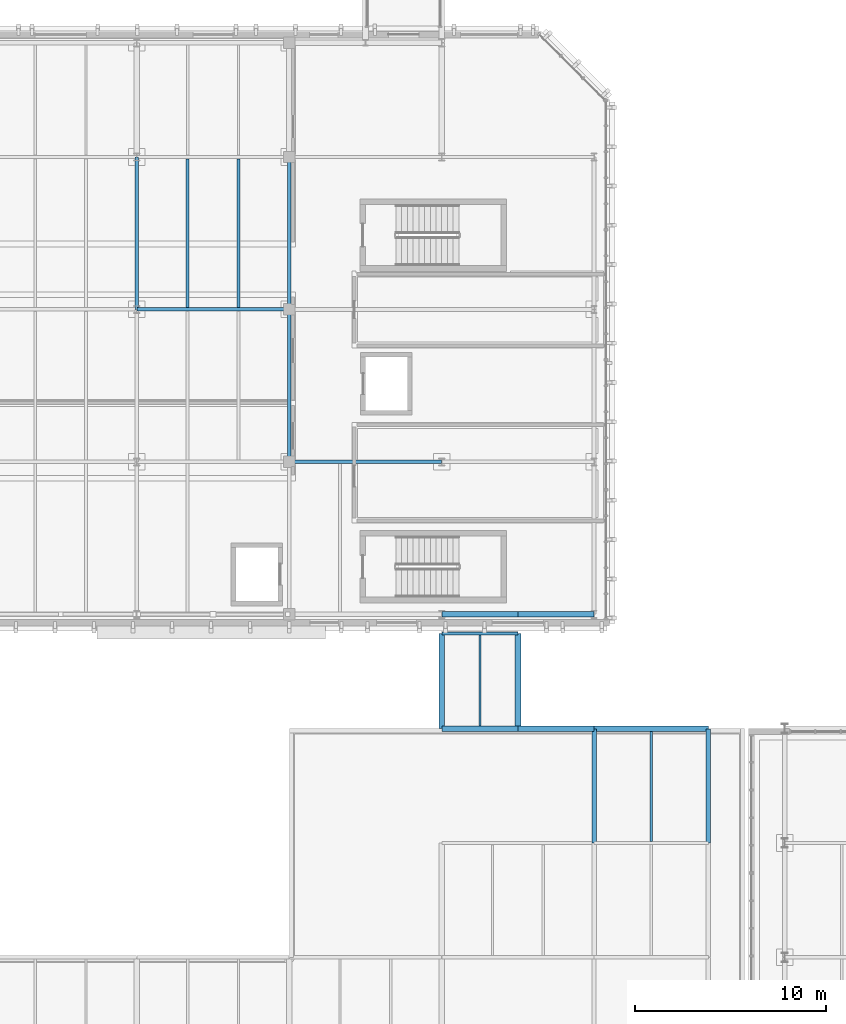
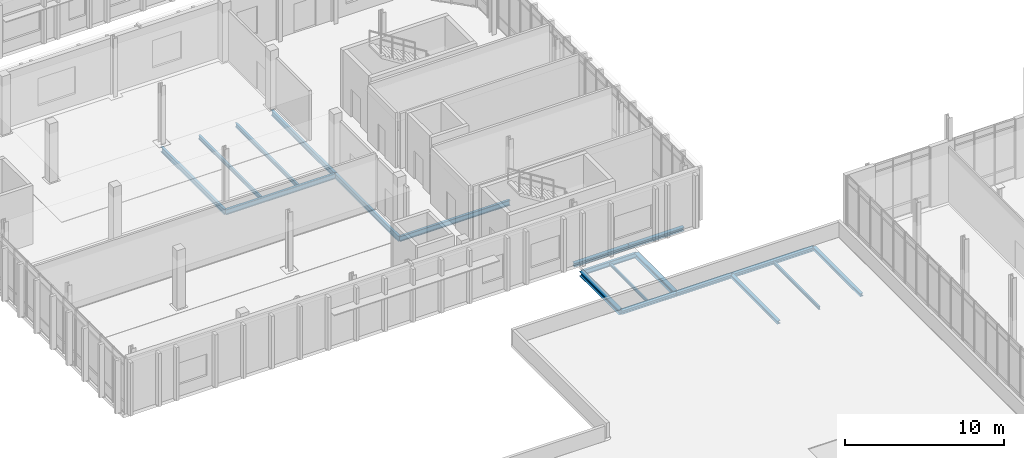
# One storey, part 18 of 86: 19 beams.
"""IFC4 building model written with IfcOpenShell, lengths in metres."""

from ifc_helpers import new_model, si_unit, direction, frame, origin, origin_2d, place, context, subcontext, project, spatial, i_section, extrude, material, material_profile, profile_set, type_object, element, save


model = new_model("IFC4")

# Units and contexts
model_context = context("Model", 3, precision=1e-05, world=origin(), true_north=direction((0.0, 1.0)))
body_context = subcontext(model_context, "Body", "Model", "MODEL_VIEW")
ifc_project = project(units=[si_unit("LENGTHUNIT", "METRE"), si_unit("AREAUNIT", "SQUARE_METRE"), si_unit("VOLUMEUNIT", "CUBIC_METRE"), si_unit("PLANEANGLEUNIT", "RADIAN"), si_unit("MASSUNIT", "GRAM", prefix="KILO")], contexts=[model_context])

# Site, building, storey
site_placement = place(None, origin())
site = spatial("IfcSite", under=ifc_project, at=site_placement, CompositionType="ELEMENT")
building_placement = place(site_placement, origin())
building = spatial("IfcBuilding", under=site, at=building_placement, Name="Cymarion Research Institute", CompositionType="ELEMENT")
storey_placement = place(building_placement, frame((0.0, 0.0, 13.800048828125)))
storey = spatial("IfcBuildingStorey", under=building, at=storey_placement, Name="L03", CompositionType="ELEMENT", Elevation=13.800048828125)

# Beams
ifc_material = material(Name="Steel S355", Category="steel")
ifc_material_profile_1 = material_profile(ifc_material, i_section(OverallWidth=0.179931640625, OverallDepth=0.39990234375, WebThickness=0.008544921875, FlangeThickness=0.013427734375, FilletRadius=0.02099609375, at=origin_2d()), Name="IPE 400")
ifc_profile_set_1 = profile_set([ifc_material_profile_1], Name="Steel S355")
beam_type_1 = type_object("IfcBeamType", Name="PRIMARY GIRDER BM05 IPE 400", PredefinedType="BEAM", material=ifc_profile_set_1)
for number, where, z_axis, x_axis, name in (
    (1, (30.60595703125, 55.5, -0.449951171875), (1.0, 0.0, 0.0), (0.0, 1.0, 0.0), "L03 V4 girder BM05 #1461"),
    (2, (22.60595703125, 63.5, -0.449951171875), (1.0, 0.0, 0.0), (0.0, 1.0, 0.0), "L03 V4 girder BM05 #1465"),
):
    element("IfcBeam", number, at=place(storey_placement, frame(where, z_axis=z_axis, x_axis=x_axis)), inside=storey, type_object=beam_type_1, Name=name, PredefinedType="BEAM", context=body_context, shape_type="SweptSolid", body=[
        extrude(i_section(OverallWidth=0.179931640625, OverallDepth=0.39990234375, WebThickness=0.008544921875, FlangeThickness=0.013427734375, FilletRadius=0.02099609375, at=origin_2d()), origin(), (0.0, 0.0, 1.0), 7.988037109375),
    ])
for number, where, z_axis, x_axis, name in (
    (3, (22.60009765625, 63.506103515625, -0.449951171875), (0.0, 1.0, 0.0), (-1.0, 0.0, 0.0), "L03 V4 girder BM05 #1488"),
    (4, (30.60009765625, 55.506103515625, -0.449951171875), (0.0, 1.0, 0.0), (-1.0, 0.0, 0.0), "L03 V4 girder BM05 #1491"),
    (5, (30.60009765625, 63.506103515625, -0.449951171875), (0.0, 1.0, 0.0), (-1.0, 0.0, 0.0), "L03 V4 girder BM05 #1492"),
):
    element("IfcBeam", number, at=place(storey_placement, frame(where, z_axis=z_axis, x_axis=x_axis)), inside=storey, type_object=beam_type_1, Name=name, PredefinedType="BEAM", context=body_context, shape_type="SweptSolid", body=[
        extrude(i_section(OverallWidth=0.179931640625, OverallDepth=0.39990234375, WebThickness=0.008544921875, FlangeThickness=0.013427734375, FilletRadius=0.02099609375, at=origin_2d()), origin(), (0.0, 0.0, 1.0), 7.98779296875),
    ])
ifc_material_profile_2 = material_profile(ifc_material, i_section(OverallWidth=0.169921875, OverallDepth=0.360107421875, WebThickness=0.008056640625, FlangeThickness=0.0126953125, FilletRadius=0.01806640625, at=origin_2d()), Name="IPE 360")
ifc_profile_set_2 = profile_set([ifc_material_profile_2], Name="Steel S355")
beam_type_2 = type_object("IfcBeamType", Name="PRIMARY GIRDER BM06 IPE 360", PredefinedType="BEAM", material=ifc_profile_set_2)
beam_1_placement = place(storey_placement, frame((38.60595703125, 46.5, -0.420166015625), z_axis=(1.0, 0.0, 0.0), x_axis=(0.0, 1.0, 0.0)))
element("IfcBeam", 6, at=beam_1_placement, inside=storey, type_object=beam_type_2, Name="L03 V3 girder BM06 #1380", PredefinedType="BEAM", context=body_context, shape_type="SweptSolid", body=[
    extrude(i_section(OverallWidth=0.169921875, OverallDepth=0.360107421875, WebThickness=0.008056640625, FlangeThickness=0.0126953125, FilletRadius=0.01806640625, at=origin_2d()), origin(), (0.0, 0.0, 1.0), 3.988037109375),
])
ifc_material_profile_3 = material_profile(ifc_material, i_section(OverallWidth=0.300048828125, OverallDepth=0.35009765625, WebThickness=0.010009765625, FlangeThickness=0.017578125, FilletRadius=0.027099609375, at=origin_2d()), Name="HEA 360")
ifc_profile_set_3 = profile_set([ifc_material_profile_3], Name="Steel S355")
beam_type_3 = type_object("IfcBeamType", Name="PRIMARY GIRDER BM12 HEA 360", PredefinedType="BEAM", material=ifc_profile_set_3)
for number, where, z_axis, x_axis, name in (
    (7, (38.60009765625, 41.506103515625, -0.4150390625), (0.0, 1.0, 0.0), (-1.0, 0.0, 0.0), "L03 V3 girder BM12 #1401"),
    (8, (42.60009765625, 41.506103515625, -0.4150390625), (0.0, 1.0, 0.0), (-1.0, 0.0, 0.0), "L03 V3 girder BM12 #1402"),
):
    element("IfcBeam", number, at=place(storey_placement, frame(where, z_axis=z_axis, x_axis=x_axis)), inside=storey, type_object=beam_type_3, Name=name, PredefinedType="BEAM", context=body_context, shape_type="SweptSolid", body=[
        extrude(i_section(OverallWidth=0.300048828125, OverallDepth=0.35009765625, WebThickness=0.010009765625, FlangeThickness=0.017578125, FilletRadius=0.027099609375, at=origin_2d()), origin(), (0.0, 0.0, 1.0), 4.98779296875),
    ])
ifc_material_profile_4 = material_profile(ifc_material, i_section(OverallWidth=0.14990234375, OverallDepth=0.300048828125, WebThickness=0.007080078125, FlangeThickness=0.0107421875, FilletRadius=0.014892578125, at=origin_2d()), Name="IPE 300")
ifc_profile_set_4 = profile_set([ifc_material_profile_4], Name="Steel S355")
beam_type_4 = type_object("IfcBeamType", Name="SECONDARY JOIST JS02 IPE 300", PredefinedType="JOIST", material=ifc_profile_set_4)
for number, where, z_axis, x_axis, name in (
    (9, (25.2666015625, 63.593994140625, -0.400146484375), (0.0, 1.0, 0.0), (-1.0, 0.0, 0.0), "L03 V4 secondary joist JS02 #1515"),
    (10, (27.933349609375, 63.593994140625, -0.400146484375), (0.0, 1.0, 0.0), (-1.0, 0.0, 0.0), "L03 V4 secondary joist JS02 #1516"),
):
    element("IfcBeam", number, at=place(storey_placement, frame(where, z_axis=z_axis, x_axis=x_axis)), inside=storey, type_object=beam_type_4, Name=name, PredefinedType="JOIST", context=body_context, shape_type="SweptSolid", body=[
        extrude(i_section(OverallWidth=0.14990234375, OverallDepth=0.300048828125, WebThickness=0.007080078125, FlangeThickness=0.0107421875, FilletRadius=0.014892578125, at=origin_2d()), origin(), (0.0, 0.0, 1.0), 7.81201171875),
    ])
ifc_material_profile_5 = material_profile(ifc_material, i_section(OverallWidth=0.1201171875, OverallDepth=0.239990234375, WebThickness=0.006103515625, FlangeThickness=0.009765625, FilletRadius=0.014892578125, at=origin_2d()), Name="IPE 240")
ifc_profile_set_5 = profile_set([ifc_material_profile_5], Name="Steel S355")
beam_type_5 = type_object("IfcBeamType", Name="SECONDARY JOIST JS04 IPE 240", PredefinedType="JOIST", material=ifc_profile_set_5)
beam_2_placement = place(storey_placement, frame((49.60009765625, 35.589111328125, -0.360107421875), z_axis=(0.0, 1.0, 0.0), x_axis=(-1.0, 0.0, 0.0)))
element("IfcBeam", 11, at=beam_2_placement, inside=storey, type_object=beam_type_5, Name="L03 V3 secondary joist JS04 #1450", PredefinedType="JOIST", context=body_context, shape_type="SweptSolid", body=[
    extrude(i_section(OverallWidth=0.1201171875, OverallDepth=0.239990234375, WebThickness=0.006103515625, FlangeThickness=0.009765625, FilletRadius=0.014892578125, at=origin_2d()), origin(), (0.0, 0.0, 1.0), 5.766845703125),
])
ifc_material_profile_6 = material_profile(ifc_material, i_section(OverallWidth=0.110107421875, OverallDepth=0.219970703125, WebThickness=0.005859375, FlangeThickness=0.00927734375, FilletRadius=0.011962890625, at=origin_2d()), Name="IPE 220")
ifc_profile_set_6 = profile_set([ifc_material_profile_6], Name="Steel S355")
beam_type_6 = type_object("IfcBeamType", Name="SECONDARY JOIST JS05 IPE 220", PredefinedType="JOIST", material=ifc_profile_set_6)
beam_3_placement = place(storey_placement, frame((40.60009765625, 41.64404296875, -0.35009765625), z_axis=(0.0, 1.0, 0.0), x_axis=(-1.0, 0.0, 0.0)))
element("IfcBeam", 12, at=beam_3_placement, inside=storey, type_object=beam_type_6, Name="L03 V3 secondary joist JS05 #1451", PredefinedType="JOIST", context=body_context, shape_type="SweptSolid", body=[
    extrude(i_section(OverallWidth=0.110107421875, OverallDepth=0.219970703125, WebThickness=0.005859375, FlangeThickness=0.00927734375, FilletRadius=0.011962890625, at=origin_2d()), origin(), (0.0, 0.0, 1.0), 4.766845703125),
])
ifc_material_profile_7 = material_profile(ifc_material, i_section(OverallWidth=0.280029296875, OverallDepth=0.27001953125, WebThickness=0.008056640625, FlangeThickness=0.012939453125, FilletRadius=0.02392578125, at=origin_2d()), Name="HEA 280")
ifc_profile_set_7 = profile_set([ifc_material_profile_7], Name="Steel S355")
beam_type_7 = type_object("IfcBeamType", Name="SPANDREL BEAM SPB02 HEA 280", PredefinedType="SPANDREL", material=ifc_profile_set_7)
for number, where, z_axis, x_axis, name in (
    (13, (38.60595703125, 41.5, -0.375), (1.0, 0.0, 0.0), (0.0, 1.0, 0.0), "L03 V3 girder SPB02 #1377"),
    (14, (42.60595703125, 41.5, -0.375), (1.0, 0.0, 0.0), (0.0, 1.0, 0.0), "L03 V3 girder SPB02 #1378"),
):
    element("IfcBeam", number, at=place(storey_placement, frame(where, z_axis=z_axis, x_axis=x_axis)), inside=storey, type_object=beam_type_7, Name=name, PredefinedType="SPANDREL", context=body_context, shape_type="SweptSolid", body=[
        extrude(i_section(OverallWidth=0.280029296875, OverallDepth=0.27001953125, WebThickness=0.008056640625, FlangeThickness=0.012939453125, FilletRadius=0.02392578125, at=origin_2d()), origin(), (0.0, 0.0, 1.0), 3.988037109375),
    ])
beam_4_placement = place(storey_placement, frame((46.60595703125, 41.5, -0.375), z_axis=(1.0, 0.0, 0.0), x_axis=(0.0, 1.0, 0.0)))
element("IfcBeam", 15, at=beam_4_placement, inside=storey, type_object=beam_type_7, Name="L03 V3 girder SPB02 #1379", PredefinedType="SPANDREL", context=body_context, shape_type="SweptSolid", body=[
    extrude(i_section(OverallWidth=0.280029296875, OverallDepth=0.27001953125, WebThickness=0.008056640625, FlangeThickness=0.012939453125, FilletRadius=0.02392578125, at=origin_2d()), origin(), (0.0, 0.0, 1.0), 5.988037109375),
])
for number, where, z_axis, x_axis, name in (
    (16, (38.60595703125, 47.5, -0.385009765625), (1.0, 0.0, 0.0), (0.0, 1.0, 0.0), "L03 V4 girder SPB02 #1456"),
    (17, (42.60595703125, 47.5, -0.385009765625), (1.0, 0.0, 0.0), (0.0, 1.0, 0.0), "L03 V4 girder SPB02 #1457"),
):
    element("IfcBeam", number, at=place(storey_placement, frame(where, z_axis=z_axis, x_axis=x_axis)), inside=storey, type_object=beam_type_7, Name=name, PredefinedType="SPANDREL", context=body_context, shape_type="SweptSolid", body=[
        extrude(i_section(OverallWidth=0.280029296875, OverallDepth=0.27001953125, WebThickness=0.008056640625, FlangeThickness=0.012939453125, FilletRadius=0.02392578125, at=origin_2d()), origin(), (0.0, 0.0, 1.0), 3.988037109375),
    ])
ifc_material_profile_8 = material_profile(ifc_material, i_section(OverallWidth=0.239990234375, OverallDepth=0.22998046875, WebThickness=0.007568359375, FlangeThickness=0.011962890625, FilletRadius=0.02099609375, at=origin_2d()), Name="HEA 240")
ifc_profile_set_8 = profile_set([ifc_material_profile_8], Name="Steel S355")
beam_type_8 = type_object("IfcBeamType", Name="SPANDREL BEAM SPB03 HEA 240", PredefinedType="SPANDREL", material=ifc_profile_set_8)
for number, where, z_axis, x_axis, name in (
    (18, (46.60009765625, 35.506103515625, -0.35498046875), (0.0, 1.0, 0.0), (-1.0, 0.0, 0.0), "L03 V3 girder SPB03 #1406"),
    (19, (52.60009765625, 35.506103515625, -0.35498046875), (0.0, 1.0, 0.0), (-1.0, 0.0, 0.0), "L03 V3 girder SPB03 #1412"),
):
    element("IfcBeam", number, at=place(storey_placement, frame(where, z_axis=z_axis, x_axis=x_axis)), inside=storey, type_object=beam_type_8, Name=name, PredefinedType="SPANDREL", context=body_context, shape_type="SweptSolid", body=[
        extrude(i_section(OverallWidth=0.239990234375, OverallDepth=0.22998046875, WebThickness=0.007568359375, FlangeThickness=0.011962890625, FilletRadius=0.02099609375, at=origin_2d()), origin(), (0.0, 0.0, 1.0), 5.98779296875),
    ])

save(model, "model.ifc")
